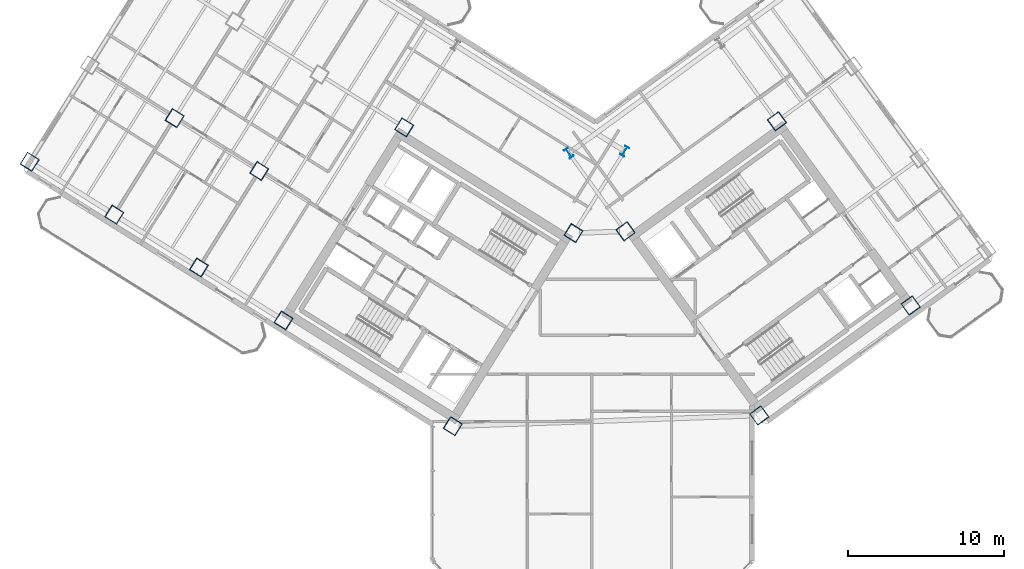
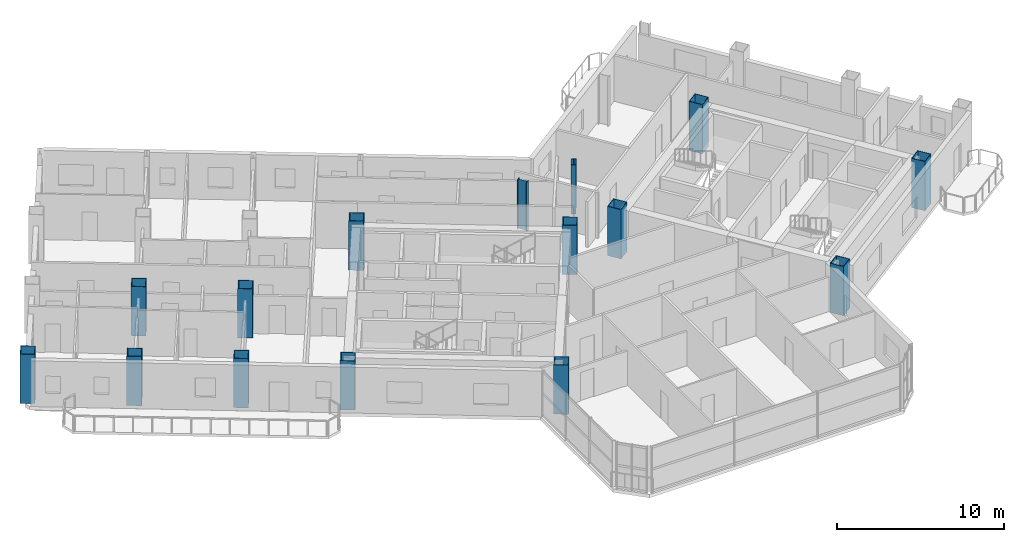
# One storey, part 1 of 20: 15 columns.
"""IFC4 building model written with IfcOpenShell, lengths in metres."""

from ifc_helpers import new_model, si_unit, direction, frame, origin, origin_2d, place, context, subcontext, project, spatial, hollow_rectangle, i_section, extrude, source, transform, mapped, material, material_profile, profile_set, type_object, element, save


model = new_model("IFC4")

# Units and contexts
model_context = context("Model", 3, precision=1e-05, world=origin(), true_north=direction((0.0, 1.0)))
body_context = subcontext(model_context, "Body", "Model", "MODEL_VIEW")
ifc_project = project(units=[si_unit("LENGTHUNIT", "METRE"), si_unit("AREAUNIT", "SQUARE_METRE"), si_unit("VOLUMEUNIT", "CUBIC_METRE"), si_unit("PLANEANGLEUNIT", "RADIAN"), si_unit("MASSUNIT", "GRAM", prefix="KILO")], contexts=[model_context])

# Site, building, storey
site_placement = place(None, origin())
site = spatial("IfcSite", under=ifc_project, at=site_placement, CompositionType="ELEMENT")
building_placement = place(site_placement, origin())
building = spatial("IfcBuilding", under=site, at=building_placement, Name="Tlacorven Tower", CompositionType="ELEMENT")
storey_placement = place(building_placement, frame((0.0, 0.0, 108.89990234375)))
storey = spatial("IfcBuildingStorey", under=building, at=storey_placement, Name="L27", CompositionType="ELEMENT", Elevation=108.89990234375)

# Columns
ifc_material = material(Name="Steel S460M", Category="steel")
ifc_material_profile_1 = material_profile(ifc_material, i_section(OverallWidth=0.300048828125, OverallDepth=0.64990234375, WebThickness=0.01611328125, FlangeThickness=0.031005859375, at=origin_2d()), Name="HEB 650")
ifc_profile_set_1 = profile_set([ifc_material_profile_1], Name="Steel S460M")
column_type_1 = type_object("IfcColumnType", Name="COL-TWR-P1", PredefinedType="COLUMN", material=ifc_profile_set_1)
shared_shape_1 = source(origin(), body_context, "Body", "SweptSolid", [
    extrude(i_section(OverallWidth=0.300048828125, OverallDepth=0.64990234375, WebThickness=0.01611328125, FlangeThickness=0.031005859375, at=origin_2d()), origin(), (0.0, 0.0, 1.0), 3.60009765625),
])
for number, where, z_axis, x_axis, name in (
    (1, (44.068359375, 29.726318359375, 0.0), (0.0, 0.0, 1.0), (-0.848048096156, 0.529919264233, 0.0), "L27 column COL-L27-W1-1"),
    (2, (40.4794921875, 29.60107421875, 0.0), (0.0, 0.0, 1.0), (0.809016994375, 0.587785252292, 0.0), "L27 column COL-L27-E1-4"),
):
    element("IfcColumn", number, at=place(storey_placement, frame(where, z_axis=z_axis, x_axis=x_axis)), inside=storey, type_object=column_type_1, Name=name, PredefinedType="COLUMN", context=body_context, shape_type="MappedRepresentation", body=[
        mapped(shared_shape_1, transform((0.0, 0.0, 0.0), scale=1.0)),
    ])
ifc_material_profile_2 = material_profile(ifc_material, hollow_rectangle(XDim=0.89990234375, YDim=0.89990234375, WallThickness=0.035888671875, at=origin_2d()), Name="BOX 900X900X36")
ifc_profile_set_2 = profile_set([ifc_material_profile_2], Name="Steel S460M")
column_type_2 = type_object("IfcColumnType", Name="COL-TWR-S2", PredefinedType="COLUMN", material=ifc_profile_set_2)
shared_shape_2 = source(origin(), body_context, "Body", "SweptSolid", [
    extrude(hollow_rectangle(XDim=0.89990234375, YDim=0.89990234375, WallThickness=0.035888671875, at=origin_2d()), origin(), (0.0, 0.0, 1.0), 3.60009765625),
])
for number, where, z_axis, x_axis, name in (
    (3, (40.782958984375, 24.468505859375, 0.0), (0.0, 0.0, 1.0), (-0.848048096156, 0.529919264233, 0.0), "L27 column COL-L27-W1-2"),
    (4, (33.046142578125, 12.0869140625, 0.0), (0.0, 0.0, 1.0), (-0.848048096156, 0.529919264233, 0.0), "L27 column COL-L27-W1-4"),
    (5, (29.927978515625, 31.25146484375, 0.0), (0.0, 0.0, 1.0), (-0.848048096156, 0.529919264233, 0.0), "L27 column COL-L27-W3-2"),
    (6, (22.191162109375, 18.869873046875, 0.0), (0.0, 0.0, 1.0), (-0.848048096156, 0.529919264233, 0.0), "L27 column COL-L27-W3-4"),
    (7, (20.632080078125, 28.4521484375, 0.0), (0.0, 0.0, 1.0), (-0.848048096156, 0.529919264233, 0.0), "L27 column COL-L27-W4-3"),
    (8, (16.763671875, 22.26123046875, 0.0), (0.0, 0.0, 1.0), (-0.848048096156, 0.529919264233, 0.0), "L27 column COL-L27-W4-4"),
    (9, (15.20458984375, 31.843505859375, 0.0), (0.0, 0.0, 1.0), (-0.848048096156, 0.529919264233, 0.0), "L27 column COL-L27-W5-3"),
    (10, (11.336181640625, 25.65283203125, 0.0), (0.0, 0.0, 1.0), (-0.848048096156, 0.529919264233, 0.0), "L27 column COL-L27-W5-4"),
    (11, (5.90869140625, 29.044189453125, 0.0), (0.0, 0.0, 1.0), (-0.848048096156, 0.529919264233, 0.0), "L27 column COL-L27-W6-4"),
    (12, (52.705322265625, 12.7734375, 0.0), (0.0, 0.0, 1.0), (0.809016994375, 0.587785252292, 0.0), "L27 column COL-L27-E1-1"),
    (13, (44.123779296875, 24.5849609375, 0.0), (0.0, 0.0, 1.0), (0.809016994375, 0.587785252292, 0.0), "L27 column COL-L27-E1-3"),
    (14, (62.41357421875, 19.826904296875, 0.0), (0.0, 0.0, 1.0), (0.809016994375, 0.587785252292, 0.0), "L27 column COL-L27-E3-1"),
    (15, (53.83203125, 31.638427734375, 0.0), (0.0, 0.0, 1.0), (0.809016994375, 0.587785252292, 0.0), "L27 column COL-L27-E3-3"),
):
    element("IfcColumn", number, at=place(storey_placement, frame(where, z_axis=z_axis, x_axis=x_axis)), inside=storey, type_object=column_type_2, Name=name, PredefinedType="COLUMN", context=body_context, shape_type="MappedRepresentation", body=[
        mapped(shared_shape_2, transform((0.0, 0.0, 0.0), scale=1.0)),
    ])

save(model, "model.ifc")
